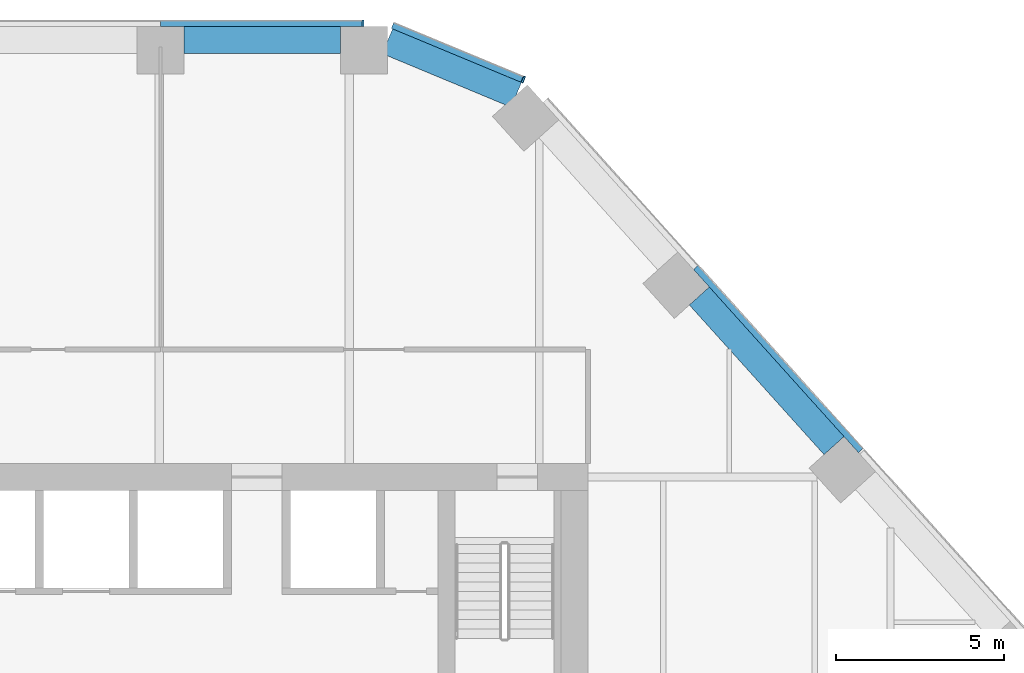
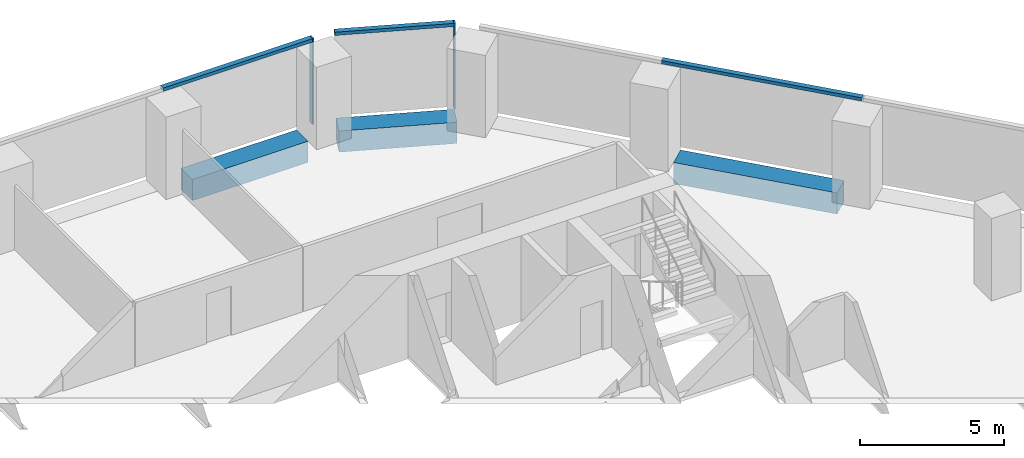
# One storey, part 9 of 16: 5 members, 3 beams, 3 elements without a shape of their own.
"""IFC4 building model written with IfcOpenShell, lengths in metres."""

from ifc_helpers import new_model, si_unit, direction, frame, origin, origin_2d, place, context, subcontext, project, spatial, rectangle, extrude, material, layer, layer_set, material_profile, profile_set, type_object, element, aggregate, save


model = new_model("IFC4")

# Units and contexts
model_context = context("Model", 3, precision=1e-05, world=origin(), true_north=direction((0.0, 1.0)))
body_context = subcontext(model_context, "Body", "Model", "MODEL_VIEW")
ifc_project = project(units=[si_unit("LENGTHUNIT", "METRE"), si_unit("AREAUNIT", "SQUARE_METRE"), si_unit("VOLUMEUNIT", "CUBIC_METRE"), si_unit("PLANEANGLEUNIT", "RADIAN"), si_unit("MASSUNIT", "GRAM", prefix="KILO")], contexts=[model_context])

# Site, building, storey
site_placement = place(None, origin())
site = spatial("IfcSite", under=ifc_project, at=site_placement, CompositionType="ELEMENT")
building_placement = place(site_placement, origin())
building = spatial("IfcBuilding", under=site, at=building_placement, Name="Isthmus Gate Tower", CompositionType="ELEMENT")
storey_placement = place(building_placement, frame((0.0, 0.0, 151.699951171875)))
storey = spatial("IfcBuildingStorey", under=building, at=storey_placement, Name="L37", CompositionType="ELEMENT", Elevation=151.699951171875)

# Curtain wall, member
ifc_material_1 = material(Name="Aluminium, pale champagne anodised", Category="aluminium")
ifc_layer = layer(ifc_material_1, 0.199951171875)
ifc_layer_set = layer_set([ifc_layer], Name="CW-1 UNITISED CURTAIN WALL 200 DEEP")
curtain_wall_type = type_object("IfcCurtainWallType", Name="CW-1 UNITISED CURTAIN WALL 200 DEEP", PredefinedType="NOTDEFINED", material=ifc_layer_set)
curtain_wall_1_placement = place(storey_placement, origin())
curtain_wall_1 = element("IfcCurtainWall", 1, at=curtain_wall_1_placement, inside=storey, type_object=curtain_wall_type, Name="CW-1 N L37", PredefinedType="NOTDEFINED")
ifc_material_2 = material(Name="Aluminium, pale champagne anodised", Category="aluminium")
ifc_material_profile_1 = material_profile(ifc_material_2, rectangle(XDim=0.06005859375, YDim=0.199951171875, at=origin_2d()), Name="60x200")
ifc_profile_set_1 = profile_set([ifc_material_profile_1], Name="Aluminium, pale champagne anodised")
member_type_1 = type_object("IfcMemberType", Name="CW-1 MULLION 60 X 200", PredefinedType="MULLION", material=ifc_profile_set_1)
member_1_placement = place(storey_placement, frame((8.30859375, 28.10009765625, 0.0), z_axis=(0.0, 0.0, 1.0), x_axis=(-1.0, 0.0, 0.0)))
member_1 = element("IfcMember", 2, at=member_1_placement, type_object=member_type_1, Name="CW-1 mullion", PredefinedType="MULLION", context=body_context, shape_type="SweptSolid", body=[
    extrude(rectangle(XDim=0.06005859375, YDim=0.199951171875, at=origin_2d()), origin(), (0.0, 0.0, 1.0), 3.650146484375),
])

curtain_wall_2_placement = place(storey_placement, origin())
curtain_wall_2 = element("IfcCurtainWall", 3, at=curtain_wall_2_placement, inside=storey, type_object=curtain_wall_type, Name="CW-1 NE-N L37", PredefinedType="NOTDEFINED")
member_2_placement = place(storey_placement, frame((13.080810546875, 26.427490234375, 0.0), z_axis=(0.0, 0.0, 1.0), x_axis=(-0.923353128387, 0.383951820282, 0.0)))
member_2 = element("IfcMember", 4, at=member_2_placement, type_object=member_type_1, Name="CW-1 mullion", PredefinedType="MULLION", context=body_context, shape_type="SweptSolid", body=[
    extrude(rectangle(XDim=0.06005859375, YDim=0.199951171875, at=origin_2d()), origin(), (0.0, 0.0, 1.0), 3.650146484375),
])

# Member
ifc_material_3 = material(Name="Aluminium, pale champagne anodised", Category="aluminium")
ifc_material_profile_2 = material_profile(ifc_material_3, rectangle(XDim=0.199951171875, YDim=0.139892578125, at=origin_2d()), Name="200x140")
ifc_profile_set_2 = profile_set([ifc_material_profile_2], Name="Aluminium, pale champagne anodised")
member_type_2 = type_object("IfcMemberType", Name="CW-1 TRANSOM 200 X 140", PredefinedType="USERDEFINED", material=ifc_profile_set_2)
member_3_placement = place(storey_placement, frame((8.278564453125, 28.10009765625, 3.580078125), z_axis=(-1.0, 0.0, 0.0), x_axis=(0.0, -1.0, 0.0)))
member_3 = element("IfcMember", 5, at=member_3_placement, type_object=member_type_2, Name="CW-1 transom", ObjectType="TRANSOM", PredefinedType="USERDEFINED", context=body_context, shape_type="SweptSolid", body=[
    extrude(rectangle(XDim=0.199951171875, YDim=0.139892578125, at=origin_2d()), origin(), (0.0, 0.0, 1.0), 5.990234375),
])

aggregate(curtain_wall_1, [member_1, member_3])

# Curtain wall, member
curtain_wall_3_placement = place(storey_placement, origin())
curtain_wall_3 = element("IfcCurtainWall", 6, at=curtain_wall_3_placement, inside=storey, type_object=curtain_wall_type, Name="CW-1 NE L37", PredefinedType="NOTDEFINED")
member_4_placement = place(storey_placement, frame((23.126708984375, 15.3955078125, 3.580078125), z_axis=(-0.669137671884, 0.743138463589, 0.0), x_axis=(-0.743138463589, -0.669137671884, 0.0)))
member_4 = element("IfcMember", 7, at=member_4_placement, type_object=member_type_2, Name="CW-1 transom", ObjectType="TRANSOM", PredefinedType="USERDEFINED", context=body_context, shape_type="SweptSolid", body=[
    extrude(rectangle(XDim=0.199951171875, YDim=0.139892578125, at=origin_2d()), origin(), (0.0, 0.0, 1.0), 7.330810546875),
])
aggregate(curtain_wall_3, [member_4])

# Member
member_5_placement = place(storey_placement, frame((13.05322265625, 26.43896484375, 3.580078125), z_axis=(-0.923358236369, 0.383939536033, 0.0), x_axis=(-0.383939536033, -0.923358236369, 0.0)))
member_5 = element("IfcMember", 8, at=member_5_placement, type_object=member_type_2, Name="CW-1 transom", ObjectType="TRANSOM", PredefinedType="USERDEFINED", context=body_context, shape_type="SweptSolid", body=[
    extrude(rectangle(XDim=0.199951171875, YDim=0.139892578125, at=origin_2d()), origin(), (0.0, 0.0, 1.0), 4.181640625),
])

aggregate(curtain_wall_2, [member_2, member_5])

# Beams
ifc_material_4 = material(Name="Concrete f'c 60 MPa", Category="concrete")
ifc_material_profile_3 = material_profile(ifc_material_4, rectangle(XDim=0.800048828125, YDim=0.89990234375, at=origin_2d()), Name="RC 800X900")
ifc_profile_set_3 = profile_set([ifc_material_profile_3], Name="Concrete f'c 60 MPa")
beam_type = type_object("IfcBeamType", Name="RC SPANDREL 800 X 900", PredefinedType="SPANDREL", material=ifc_profile_set_3)
beam_1_placement = place(storey_placement, frame((9.03857421875, 27.56689453125, -0.449951171875), z_axis=(0.923342835736, -0.383976571805, 0.0), x_axis=(0.383976571805, 0.923342835736, 0.0)))
element("IfcBeam", 9, at=beam_1_placement, inside=storey, type_object=beam_type, Name="str-spandrel-L37-00", PredefinedType="SPANDREL", context=body_context, shape_type="SweptSolid", body=[
    extrude(rectangle(XDim=0.800048828125, YDim=0.89990234375, at=origin_2d()), origin(), (0.0, 0.0, 1.0), 4.152587890625),
])
beam_2_placement = place(storey_placement, frame((18.318359375, 19.988525390625, -0.449951171875), z_axis=(0.669133582923, -0.743142145356, 0.0), x_axis=(0.743142145356, 0.669133582923, 0.0)))
element("IfcBeam", 10, at=beam_2_placement, inside=storey, type_object=beam_type, Name="str-spandrel-L37-02", PredefinedType="SPANDREL", context=body_context, shape_type="SweptSolid", body=[
    extrude(rectangle(XDim=0.800048828125, YDim=0.89990234375, at=origin_2d()), origin(), (0.0, 0.0, 1.0), 5.99072265625),
])
beam_3_placement = place(storey_placement, frame((2.988525390625, 27.60009765625, -0.449951171875), z_axis=(1.0, 0.0, 0.0), x_axis=(0.0, 1.0, 0.0)))
element("IfcBeam", 11, at=beam_3_placement, inside=storey, type_object=beam_type, Name="str-spandrel-L37-29", PredefinedType="SPANDREL", context=body_context, shape_type="SweptSolid", body=[
    extrude(rectangle(XDim=0.800048828125, YDim=0.89990234375, at=origin_2d()), origin(), (0.0, 0.0, 1.0), 4.650146484375),
])

save(model, "model.ifc")
